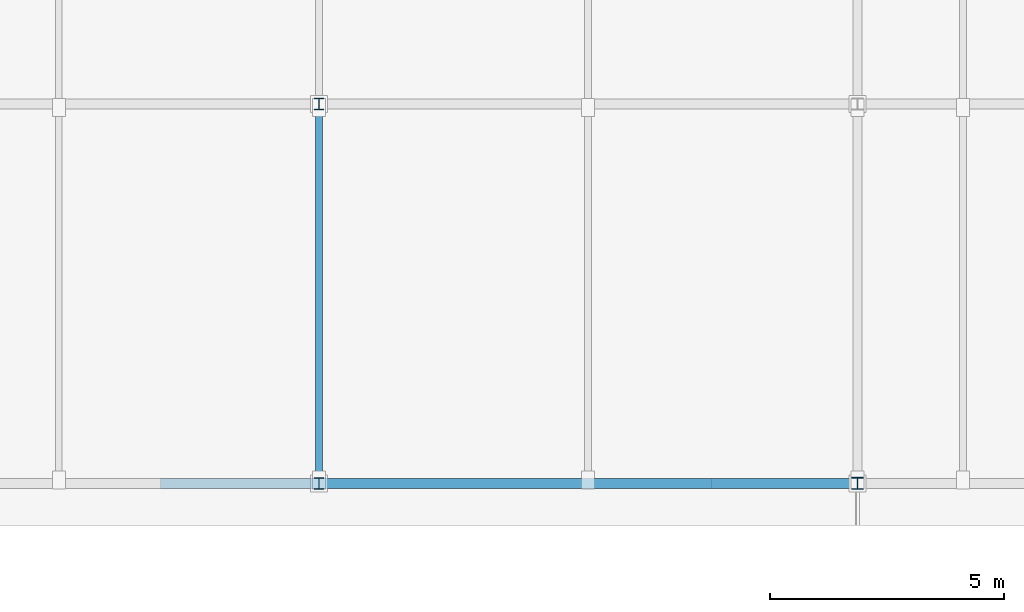
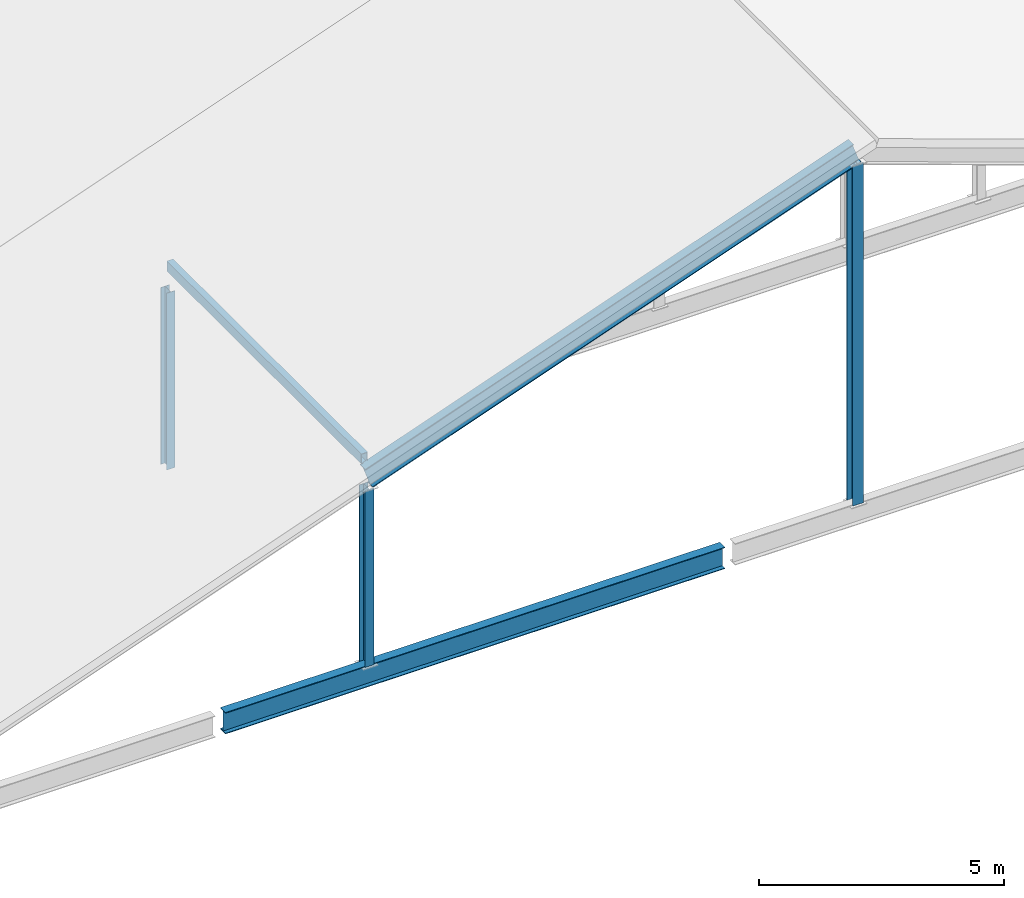
# One storey, part 28 of 42: 4 members, 2 beams.
"""IFC4 building model written with IfcOpenShell, lengths in metres."""

from ifc_helpers import new_model, si_unit, direction, frame, origin, origin_2d, place, context, subcontext, project, spatial, hollow_rectangle, i_section, extrude, material, material_profile, profile_set, type_object, element, save


model = new_model("IFC4")

# Units and contexts
model_context = context("Model", 3, precision=1e-05, world=origin(), true_north=direction((0.0, 1.0)))
body_context = subcontext(model_context, "Body", "Model", "MODEL_VIEW")
ifc_project = project(units=[si_unit("LENGTHUNIT", "METRE"), si_unit("AREAUNIT", "SQUARE_METRE"), si_unit("VOLUMEUNIT", "CUBIC_METRE"), si_unit("PLANEANGLEUNIT", "RADIAN"), si_unit("MASSUNIT", "GRAM", prefix="KILO")], contexts=[model_context])

# Site, building, storey
site_placement = place(None, origin())
site = spatial("IfcSite", under=ifc_project, at=site_placement, CompositionType="ELEMENT")
building_placement = place(site_placement, origin())
building = spatial("IfcBuilding", under=site, at=building_placement, Name="Kelmvaro Bay Concert Hall", CompositionType="ELEMENT")
storey_placement = place(building_placement, frame((0.0, 0.0, 26.699951171875)))
storey = spatial("IfcBuildingStorey", under=building, at=storey_placement, Name="RF", CompositionType="ELEMENT", Elevation=26.699951171875)

# Members
ifc_material_1 = material(Name="Steel ASTM A992 Grade 50", Category="steel")
ifc_material_profile_1 = material_profile(ifc_material_1, i_section(OverallWidth=0.25390625, OverallDepth=0.25390625, WebThickness=0.008544921875, FlangeThickness=0.01416015625, at=origin_2d()), Name="W10X49")
ifc_profile_set_1 = profile_set([ifc_material_profile_1], Name="Steel ASTM A992 Grade 50")
member_type_1 = type_object("IfcMemberType", Name="Crystal Crown King Post W10x49", PredefinedType="STRUT", material=ifc_profile_set_1)
member_1_placement = place(storey_placement, frame((159.0, 74.699951171875, -8.4150390625), z_axis=(0.0, 0.0, 1.0), x_axis=(1.0, 0.0, 0.0)))
element("IfcMember", 1, at=member_1_placement, inside=storey, type_object=member_type_1, Name="V2 Crystal Roof Post 028", PredefinedType="STRUT", context=body_context, shape_type="SweptSolid", body=[
    extrude(i_section(OverallWidth=0.25390625, OverallDepth=0.25390625, WebThickness=0.008544921875, FlangeThickness=0.01416015625, at=origin_2d()), origin(), (0.0, 0.0, 1.0), 8.474609375),
])
ifc_material_2 = material(Name="Steel ASTM A992 Grade 50", Category="steel")
ifc_material_profile_2 = material_profile(ifc_material_2, i_section(OverallWidth=0.201904296875, OverallDepth=0.2470703125, WebThickness=0.00732421875, FlangeThickness=0.010986328125, at=origin_2d()), Name="W10X33")
ifc_profile_set_2 = profile_set([ifc_material_profile_2], Name="Steel ASTM A992 Grade 50")
member_type_2 = type_object("IfcMemberType", Name="Crystal Crown Queen Post W10x33", PredefinedType="STRUT", material=ifc_profile_set_2)
for number, where, z_axis, x_axis, name in (
    (2, (147.5, 74.699951171875, -8.4150390625), (0.0, 0.0, 1.0), (1.0, 0.0, 0.0), "V2 Crystal Roof Post 027"),
    (3, (147.5, 82.800048828125, -8.4150390625), (0.0, 0.0, 1.0), (1.0, 0.0, 0.0), "V2 Crystal Roof Post 032"),
):
    element("IfcMember", number, at=place(storey_placement, frame(where, z_axis=z_axis, x_axis=x_axis)), inside=storey, type_object=member_type_2, Name=name, PredefinedType="STRUT", context=body_context, shape_type="SweptSolid", body=[
        extrude(i_section(OverallWidth=0.201904296875, OverallDepth=0.2470703125, WebThickness=0.00732421875, FlangeThickness=0.010986328125, at=origin_2d()), origin(), (0.0, 0.0, 1.0), 4.402099609375),
    ])
ifc_material_3 = material(Name="Steel ASTM A500 Grade C", Category="steel")
ifc_material_profile_3 = material_profile(ifc_material_3, hollow_rectangle(XDim=0.14990234375, YDim=0.25, WallThickness=0.010009765625, at=origin_2d()), Name="HSS250X150X10")
ifc_profile_set_3 = profile_set([ifc_material_profile_3], Name="Steel ASTM A500 Grade C")
member_type_3 = type_object("IfcMemberType", Name="Crystal Roof Mid Purlin HSS250x150x10", PredefinedType="PURLIN", material=ifc_profile_set_3)
member_2_placement = place(storey_placement, frame((147.5, 74.784912109375, -3.36279296875), z_axis=(0.0, 1.0, 0.0), x_axis=(-1.0, 0.0, 0.0)))
element("IfcMember", 4, at=member_2_placement, inside=storey, type_object=member_type_3, Name="V2 Crystal Roof Purlin 039", PredefinedType="PURLIN", context=body_context, shape_type="SweptSolid", body=[
    extrude(hollow_rectangle(XDim=0.14990234375, YDim=0.25, WallThickness=0.010009765625, at=origin_2d()), origin(), (0.0, 0.0, 1.0), 7.93017578125),
])

# Beams
ifc_material_4 = material(Name="Steel ASTM A992 Grade 50", Category="steel")
ifc_material_profile_4 = material_profile(ifc_material_4, i_section(OverallWidth=0.2119140625, OverallDepth=0.5439453125, WebThickness=0.01318359375, FlangeThickness=0.021240234375, at=origin_2d()), Name="W21X83")
ifc_profile_set_4 = profile_set([ifc_material_profile_4], Name="Steel ASTM A992 Grade 50")
beam_type_1 = type_object("IfcBeamType", Name="Crystal Roof Sloped Rafter W21x83", PredefinedType="BEAM", material=ifc_profile_set_4)
beam_1_placement = place(storey_placement, frame((147.5, 74.699951171875, -3.755859375), z_axis=(0.942644017665, 0.0, 0.333799724326), x_axis=(0.0, 1.0, 0.0)))
element("IfcBeam", 5, at=beam_1_placement, inside=storey, type_object=beam_type_1, Name="V2 Crystal Roof Rafter 028", PredefinedType="BEAM", context=body_context, shape_type="SweptSolid", body=[
    extrude(i_section(OverallWidth=0.2119140625, OverallDepth=0.5439453125, WebThickness=0.01318359375, FlangeThickness=0.021240234375, at=origin_2d()), origin(), (0.0, 0.0, 1.0), 12.19970703125),
])
ifc_material_5 = material(Name="Steel ASTM A992 Grade 50", Category="steel")
ifc_material_profile_5 = material_profile(ifc_material_5, i_section(OverallWidth=0.2099609375, OverallDepth=0.535888671875, WebThickness=0.010986328125, FlangeThickness=0.017333984375, at=origin_2d()), Name="W21X68")
ifc_profile_set_5 = profile_set([ifc_material_profile_5], Name="Steel ASTM A992 Grade 50")
beam_type_2 = type_object("IfcBeamType", Name="Crystal Roof Tie Girder W21x68", PredefinedType="BEAM", material=ifc_profile_set_5)
beam_2_placement = place(storey_placement, frame((144.1201171875, 74.699951171875, -8.66796875), z_axis=(1.0, 0.0, 0.0), x_axis=(0.0, 1.0, 0.0)))
element("IfcBeam", 6, at=beam_2_placement, inside=storey, type_object=beam_type_2, Name="V2 Crystal Roof Tie Girder 025", PredefinedType="BEAM", context=body_context, shape_type="SweptSolid", body=[
    extrude(i_section(OverallWidth=0.2099609375, OverallDepth=0.535888671875, WebThickness=0.010986328125, FlangeThickness=0.017333984375, at=origin_2d()), origin(), (0.0, 0.0, 1.0), 11.759765625),
])

save(model, "model.ifc")
